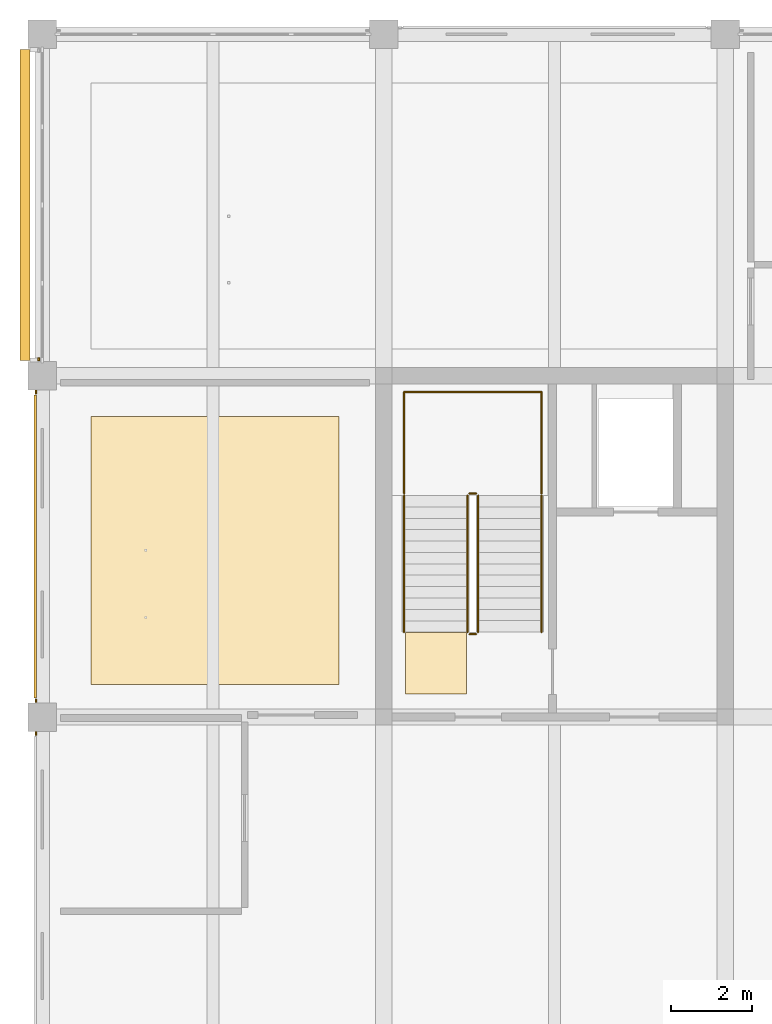
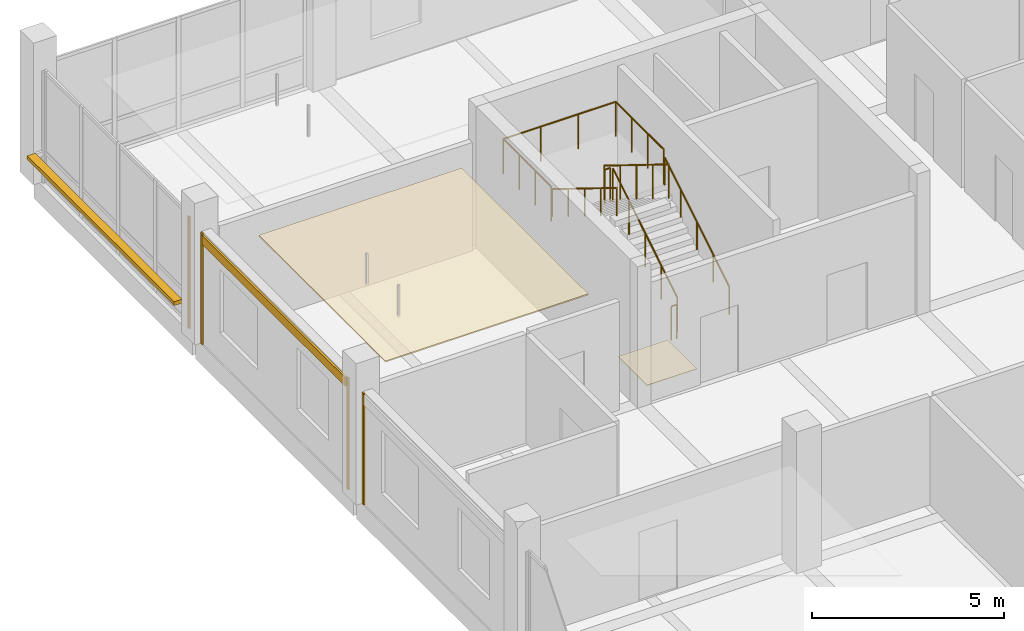
# One storey, part 25 of 32: 7 coverings, 7 railings, 1 shading device.
"""IFC4 building model written with IfcOpenShell, lengths in metres."""

from ifc_helpers import new_model, si_unit, direction, frame, origin, origin_2d, place, context, subcontext, project, spatial, polyline, rectangle, circle, outline, extrude, material, layer, layer_set, type_object, element, save


model = new_model("IFC4")

# Units and contexts
model_context = context("Model", 3, precision=1e-05, world=origin(), true_north=direction((0.0, 1.0)))
body_context = subcontext(model_context, "Body", "Model", "MODEL_VIEW")
ifc_project = project(units=[si_unit("LENGTHUNIT", "METRE"), si_unit("AREAUNIT", "SQUARE_METRE"), si_unit("VOLUMEUNIT", "CUBIC_METRE"), si_unit("PLANEANGLEUNIT", "RADIAN"), si_unit("MASSUNIT", "GRAM", prefix="KILO")], contexts=[model_context])

# Site, building, storey
site_placement = place(None, origin())
site = spatial("IfcSite", under=ifc_project, at=site_placement, CompositionType="ELEMENT")
building_placement = place(site_placement, origin())
building = spatial("IfcBuilding", under=site, at=building_placement, Name="Telukmera Botanical Conservatory", CompositionType="ELEMENT")
storey_placement = place(building_placement, frame((0.0, 0.0, 42.0)))
storey = spatial("IfcBuildingStorey", under=building, at=storey_placement, Name="L09", CompositionType="ELEMENT", Elevation=42.0)

# Coverings
ifc_material_1 = material(Name="Perforated gypsum acoustic ceiling")
ifc_layer_1 = layer(ifc_material_1, 0.0400390625)
ifc_layer_set_1 = layer_set([ifc_layer_1], Name="Perforated gypsum acoustic ceiling")
covering_type_1 = type_object("IfcCoveringType", Name="COV-CEIL-40", PredefinedType="CEILING", material=ifc_layer_set_1)
covering_1_placement = place(storey_placement, frame((0.0, 0.0, 3.31005859375)))
element("IfcCovering", 1, at=covering_1_placement, inside=storey, type_object=covering_type_1, Name="L09 Plant Pathology Laboratory Suspended Acoustic Ceiling", PredefinedType="CEILING", context=body_context, shape_type="SweptSolid", body=[
    extrude(outline(polyline([(51.60009765625, 26.800048828125), (57.699951171875, 26.800048828125), (57.699951171875, 33.39990234375), (51.60009765625, 33.39990234375), (51.60009765625, 26.800048828125)])), origin(), (0.0, 0.0, 1.0), 0.0400390625),
])
ifc_material_2 = material(Name="Honed granite non-slip flooring", Category="masonry")
ifc_layer_2 = layer(ifc_material_2, 0.011962890625)
ifc_layer_set_2 = layer_set([ifc_layer_2], Name="Honed granite non-slip flooring")
covering_type_2 = type_object("IfcCoveringType", Name="COV-FLR-12", PredefinedType="FLOORING", material=ifc_layer_set_2)
covering_2_placement = place(storey_placement, origin())
element("IfcCovering", 2, at=covering_2_placement, inside=storey, type_object=covering_type_2, Name="L09 ST1 Non-Slip Stair Landing Finish", PredefinedType="FLOORING", context=body_context, shape_type="SweptSolid", body=[
    extrude(outline(polyline([(60.830078125, 26.570068359375), (60.830078125, 28.0849609375), (59.330078125, 28.0849609375), (59.330078125, 26.570068359375), (60.830078125, 26.570068359375)])), origin(), (0.0, 0.0, 1.0), 0.011962890625),
])
ifc_material_3 = material(Name="Granite-faced precast concrete C40/50", Category="masonry")
ifc_layer_3 = layer(ifc_material_3, 0.0400390625)
ifc_layer_set_3 = layer_set([ifc_layer_3], Name="Granite-faced precast concrete C40/50")
covering_type_3 = type_object("IfcCoveringType", Name="Granite Precast Column Pier Reveal Casing", PredefinedType="CLADDING", material=ifc_layer_set_3)
for number, where, z_axis, x_axis, name in (
    (3, (50.239990234375, 25.597900390625, 0.0), (0.0, 0.0, 1.0), (0.0, 1.0, 0.0), "Granite Pier Reveal V4:L09:W2 R"),
    (4, (50.239990234375, 26.402099609375, 0.0), (0.0, 0.0, 1.0), (0.0, 1.0, 0.0), "Granite Pier Reveal V4:L09:W3 L"),
    (5, (50.239990234375, 33.998046875, 0.0), (0.0, 0.0, 1.0), (0.0, 1.0, 0.0), "Granite Pier Reveal V4:L09:W3 R"),
    (6, (50.31005859375, 34.802001953125, 0.0), (0.0, 0.0, 1.0), (0.0, 1.0, 0.0), "Granite Pier Reveal V4:L09:W4 L"),
):
    element("IfcCovering", number, at=place(storey_placement, frame(where, z_axis=z_axis, x_axis=x_axis)), inside=storey, type_object=covering_type_3, Name=name, PredefinedType="CLADDING", context=body_context, shape_type="SweptSolid", body=[
        extrude(rectangle(XDim=0.080078125, YDim=0.0400390625, at=origin_2d()), origin(), (0.0, 0.0, 1.0), 3.550048828125),
    ])

# Shading device
ifc_material_4 = material(Name="Perforated terracotta-anodised aluminium 6063-T6", Category="masonry")
ifc_layer_4 = layer(ifc_material_4, 0.044921875)
ifc_layer_set_4 = layer_set([ifc_layer_4], Name="Perforated terracotta-anodised aluminium 6063-T6")
shading_device_type = type_object("IfcShadingDeviceType", Name="Perforated Terracotta Aluminium Monsoon Brise Soleil", PredefinedType="JALOUSIE", material=ifc_layer_set_4)
shading_device_placement = place(storey_placement, frame((49.969970703125, 38.60009765625, 0.889892578125), z_axis=(0.0, 0.0, 1.0), x_axis=(0.0, 1.0, 0.0)))
element("IfcShadingDevice", 7, at=shading_device_placement, inside=storey, type_object=shading_device_type, Name="Monsoon Shading BS01 V4:L09:W4", PredefinedType="JALOUSIE", context=body_context, shape_type="SweptSolid", body=[
    extrude(rectangle(XDim=7.656005859375, YDim=0.239990234375, at=origin_2d()), origin(), (0.0, 0.0, 1.0), 0.1201171875),
])

# Covering
ifc_material_5 = material(Name="Terracotta-faced precast concrete C40/50", Category="masonry")
ifc_layer_5 = layer(ifc_material_5, 0.06005859375)
ifc_layer_set_5 = layer_set([ifc_layer_5], Name="Terracotta-faced precast concrete C40/50")
covering_type_4 = type_object("IfcCoveringType", Name="Polychrome Terracotta Facade Band Cladding", PredefinedType="CLADDING", material=ifc_layer_set_5)
covering_3_placement = place(storey_placement, frame((50.22998046875, 30.199951171875, 3.22998046875), z_axis=(0.0, 0.0, 1.0), x_axis=(0.0, 1.0, 0.0)))
element("IfcCovering", 8, at=covering_3_placement, inside=storey, type_object=covering_type_4, Name="Polychrome Terracotta Band V4:L09:W3", PredefinedType="CLADDING", context=body_context, shape_type="SweptSolid", body=[
    extrude(rectangle(XDim=7.4560546875, YDim=0.06005859375, at=origin_2d()), origin(), (0.0, 0.0, 1.0), 0.280029296875),
])

# Railings
ifc_material_6 = material(Name="Steel S355", Category="steel")
railing_type_1 = type_object("IfcRailingType", Name="RL-GUARD-1100", PredefinedType="GUARDRAIL", material=ifc_material_6)
railing_1_placement = place(storey_placement, frame((61.1201171875, 28.090087890625, 0.173095703125)))
element("IfcRailing", 9, at=railing_1_placement, inside=storey, type_object=railing_type_1, Name="L09 ST1 stair guard 1", PredefinedType="GUARDRAIL", context=body_context, shape_type="SweptSolid", body=[
    extrude(circle(Radius=0.02392578125, at=origin_2d()), frame((0.0, 0.0, 1.076171875), z_axis=(0.0, 0.850606129759, 0.525803396734), x_axis=(-1.0, 0.0, 0.0)), (0.0, 0.0, 1.0), 3.949951171875),
    extrude(circle(Radius=0.02099609375, at=origin_2d()), origin(), (0.0, 0.0, 1.0), 1.052001953125),
    extrude(circle(Radius=0.02099609375, at=origin_2d()), frame((0.0, 0.83984375, 0.519287109375)), (0.0, 0.0, 1.0), 1.052001953125),
    extrude(circle(Radius=0.02099609375, at=origin_2d()), frame((0.0, 1.679931640625, 1.03857421875)), (0.0, 0.0, 1.0), 1.052001953125),
    extrude(circle(Radius=0.02099609375, at=origin_2d()), frame((0.0, 2.52001953125, 1.5576171875)), (0.0, 0.0, 1.0), 1.052001953125),
    extrude(circle(Radius=0.02099609375, at=origin_2d()), frame((0.0, 3.35986328125, 2.076904296875)), (0.0, 0.0, 1.0), 1.052001953125),
])
railing_2_placement = place(storey_placement, frame((61.070068359375, 31.5, 2.25)))
element("IfcRailing", 10, at=railing_2_placement, inside=storey, type_object=railing_type_1, Name="L09 ST1 stair guard 2", PredefinedType="GUARDRAIL", context=body_context, shape_type="SweptSolid", body=[
    extrude(circle(Radius=0.02392578125, at=origin_2d()), frame((0.0, 0.0, 1.076171875), z_axis=(-1.0, 0.0, 0.0), x_axis=(0.0, -1.0, 0.0)), (0.0, 0.0, 1.0), 0.16015625),
    extrude(circle(Radius=0.02099609375, at=origin_2d()), origin(), (0.0, 0.0, 1.0), 1.052001953125),
    extrude(circle(Radius=0.02099609375, at=origin_2d()), frame((-0.16015625, 0.0, 0.0)), (0.0, 0.0, 1.0), 1.052001953125),
])
railing_3_placement = place(storey_placement, frame((60.860107421875, 31.449951171875, 2.423095703125)))
element("IfcRailing", 11, at=railing_3_placement, inside=storey, type_object=railing_type_1, Name="L09 ST1 stair guard 3", PredefinedType="GUARDRAIL", context=body_context, shape_type="SweptSolid", body=[
    extrude(circle(Radius=0.02392578125, at=origin_2d()), frame((0.0, 0.0, 1.076171875), z_axis=(0.0, -0.850606129759, 0.525803396734), x_axis=(1.0, 0.0, 0.0)), (0.0, 0.0, 1.0), 3.949951171875),
    extrude(circle(Radius=0.02099609375, at=origin_2d()), origin(), (0.0, 0.0, 1.0), 1.052001953125),
    extrude(circle(Radius=0.02099609375, at=origin_2d()), frame((0.0, -0.83984375, 0.519287109375)), (0.0, 0.0, 1.0), 1.052001953125),
    extrude(circle(Radius=0.02099609375, at=origin_2d()), frame((0.0, -1.679931640625, 1.03857421875)), (0.0, 0.0, 1.0), 1.052001953125),
    extrude(circle(Radius=0.02099609375, at=origin_2d()), frame((0.0, -2.52001953125, 1.5576171875)), (0.0, 0.0, 1.0), 1.052001953125),
    extrude(circle(Radius=0.02099609375, at=origin_2d()), frame((0.0, -3.35986328125, 2.076904296875)), (0.0, 0.0, 1.0), 1.052001953125),
])
railing_4_placement = place(storey_placement, frame((61.070068359375, 28.0400390625, 0.0)))
element("IfcRailing", 12, at=railing_4_placement, inside=storey, type_object=railing_type_1, Name="L09 ST1 stair guard 4", PredefinedType="GUARDRAIL", context=body_context, shape_type="SweptSolid", body=[
    extrude(circle(Radius=0.02392578125, at=origin_2d()), frame((0.0, 0.0, 1.076171875), z_axis=(-1.0, 0.0, 0.0), x_axis=(0.0, -1.0, 0.0)), (0.0, 0.0, 1.0), 0.16015625),
    extrude(circle(Radius=0.02099609375, at=origin_2d()), origin(), (0.0, 0.0, 1.0), 1.052001953125),
    extrude(circle(Radius=0.02099609375, at=origin_2d()), frame((-0.16015625, 0.0, 0.0)), (0.0, 0.0, 1.0), 1.052001953125),
])
railing_5_placement = place(storey_placement, frame((62.679931640625, 31.5, 2.25)))
element("IfcRailing", 13, at=railing_5_placement, inside=storey, type_object=railing_type_1, Name="L09 ST1 half-landing perimeter guard 1", PredefinedType="GUARDRAIL", context=body_context, shape_type="SweptSolid", body=[
    extrude(circle(Radius=0.02392578125, at=origin_2d()), frame((0.0, 0.0, 1.09619140625), z_axis=(0.0, 1.0, 0.0), x_axis=(-1.0, 0.0, 0.0)), (0.0, 0.0, 1.0), 2.5),
    extrude(circle(Radius=0.02392578125, at=origin_2d()), frame((0.0, 2.5, 1.09619140625), z_axis=(-1.0, 0.0, 0.0), x_axis=(0.0, -1.0, 0.0)), (0.0, 0.0, 1.0), 3.3798828125),
    extrude(circle(Radius=0.02392578125, at=origin_2d()), frame((-3.3798828125, 2.5, 1.09619140625), z_axis=(0.0, -1.0, 0.0), x_axis=(1.0, 0.0, 0.0)), (0.0, 0.0, 1.0), 2.5),
    extrude(circle(Radius=0.02099609375, at=origin_2d()), origin(), (0.0, 0.0, 1.0), 1.072021484375),
    extrude(circle(Radius=0.02099609375, at=origin_2d()), frame((0.0, 0.833251953125, 0.0)), (0.0, 0.0, 1.0), 1.072021484375),
    extrude(circle(Radius=0.02099609375, at=origin_2d()), frame((0.0, 1.666748046875, 0.0)), (0.0, 0.0, 1.0), 1.072021484375),
    extrude(circle(Radius=0.02099609375, at=origin_2d()), frame((0.0, 2.5, 0.0)), (0.0, 0.0, 1.0), 1.072021484375),
    extrude(circle(Radius=0.02099609375, at=origin_2d()), frame((-1.126708984375, 2.5, 0.0)), (0.0, 0.0, 1.0), 1.072021484375),
    extrude(circle(Radius=0.02099609375, at=origin_2d()), frame((-2.253173828125, 2.5, 0.0)), (0.0, 0.0, 1.0), 1.072021484375),
    extrude(circle(Radius=0.02099609375, at=origin_2d()), frame((-3.3798828125, 2.5, 0.0)), (0.0, 0.0, 1.0), 1.072021484375),
    extrude(circle(Radius=0.02099609375, at=origin_2d()), frame((-3.3798828125, 1.666748046875, 0.0)), (0.0, 0.0, 1.0), 1.072021484375),
    extrude(circle(Radius=0.02099609375, at=origin_2d()), frame((-3.3798828125, 0.833251953125, 0.0)), (0.0, 0.0, 1.0), 1.072021484375),
    extrude(circle(Radius=0.02099609375, at=origin_2d()), frame((-3.3798828125, 0.0, 0.0)), (0.0, 0.0, 1.0), 1.072021484375),
])
ifc_material_7 = material(Name="Stainless steel 316", Category="steel")
railing_type_2 = type_object("IfcRailingType", Name="RL-HAND-900", PredefinedType="HANDRAIL", material=ifc_material_7)
railing_6_placement = place(storey_placement, frame((62.679931640625, 28.090087890625, 0.173095703125)))
element("IfcRailing", 14, at=railing_6_placement, inside=storey, type_object=railing_type_2, Name="L09 ST1 stair handrail 1", PredefinedType="HANDRAIL", context=body_context, shape_type="SweptSolid", body=[
    extrude(circle(Radius=0.02392578125, at=origin_2d()), frame((0.0, 0.0, 0.8759765625), z_axis=(0.0, 0.850606129759, 0.525803396734), x_axis=(-1.0, 0.0, 0.0)), (0.0, 0.0, 1.0), 3.949951171875),
    extrude(circle(Radius=0.02099609375, at=origin_2d()), origin(), (0.0, 0.0, 1.0), 0.851806640625),
    extrude(circle(Radius=0.02099609375, at=origin_2d()), frame((0.0, 0.83984375, 0.519287109375)), (0.0, 0.0, 1.0), 0.851806640625),
    extrude(circle(Radius=0.02099609375, at=origin_2d()), frame((0.0, 1.679931640625, 1.03857421875)), (0.0, 0.0, 1.0), 0.851806640625),
    extrude(circle(Radius=0.02099609375, at=origin_2d()), frame((0.0, 2.52001953125, 1.5576171875)), (0.0, 0.0, 1.0), 0.851806640625),
    extrude(circle(Radius=0.02099609375, at=origin_2d()), frame((0.0, 3.35986328125, 2.076904296875)), (0.0, 0.0, 1.0), 0.851806640625),
])
railing_7_placement = place(storey_placement, frame((59.300048828125, 31.449951171875, 2.423095703125)))
element("IfcRailing", 15, at=railing_7_placement, inside=storey, type_object=railing_type_2, Name="L09 ST1 stair handrail 2", PredefinedType="HANDRAIL", context=body_context, shape_type="SweptSolid", body=[
    extrude(circle(Radius=0.02392578125, at=origin_2d()), frame((0.0, 0.0, 0.8759765625), z_axis=(0.0, -0.850606129759, 0.525803396734), x_axis=(1.0, 0.0, 0.0)), (0.0, 0.0, 1.0), 3.949951171875),
    extrude(circle(Radius=0.02099609375, at=origin_2d()), origin(), (0.0, 0.0, 1.0), 0.851806640625),
    extrude(circle(Radius=0.02099609375, at=origin_2d()), frame((0.0, -0.83984375, 0.519287109375)), (0.0, 0.0, 1.0), 0.851806640625),
    extrude(circle(Radius=0.02099609375, at=origin_2d()), frame((0.0, -1.679931640625, 1.03857421875)), (0.0, 0.0, 1.0), 0.851806640625),
    extrude(circle(Radius=0.02099609375, at=origin_2d()), frame((0.0, -2.52001953125, 1.5576171875)), (0.0, 0.0, 1.0), 0.851806640625),
    extrude(circle(Radius=0.02099609375, at=origin_2d()), frame((0.0, -3.35986328125, 2.076904296875)), (0.0, 0.0, 1.0), 0.851806640625),
])

save(model, "model.ifc")
